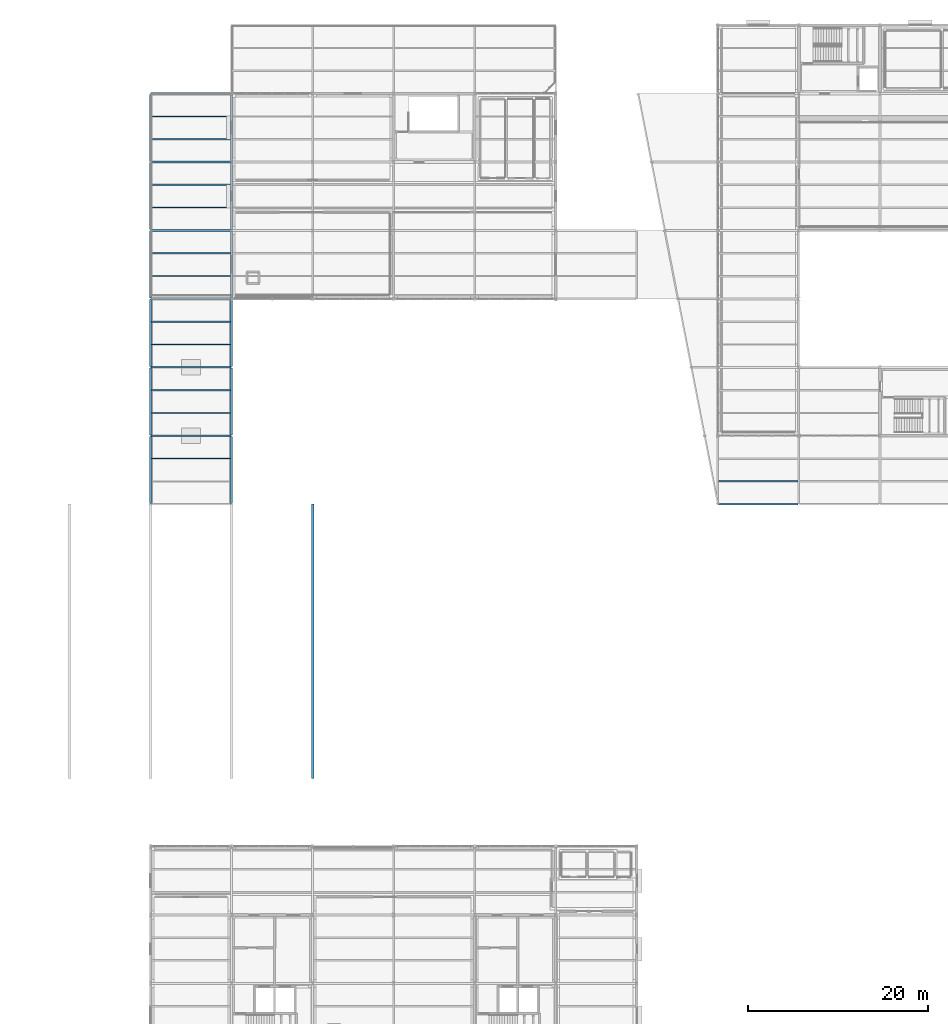
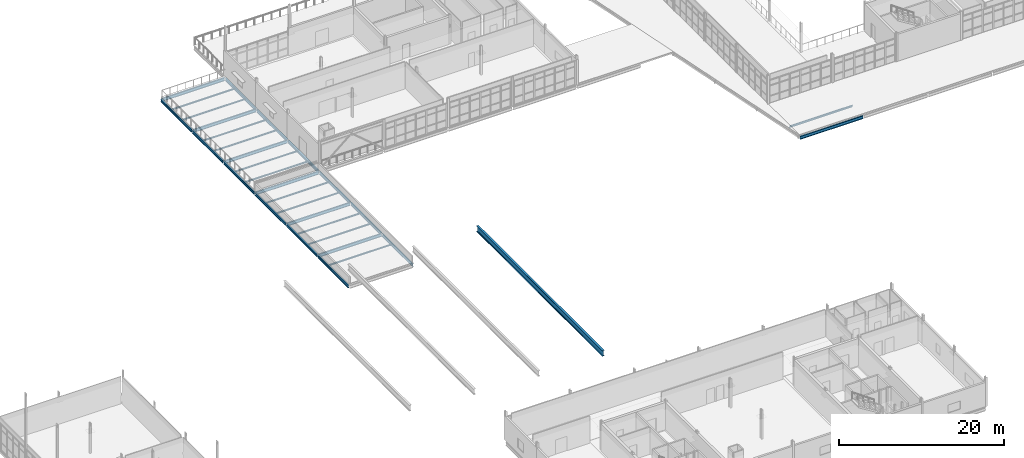
# One storey, part 30 of 96: 32 beams.
"""IFC4 building model written with IfcOpenShell, lengths in metres."""

from ifc_helpers import new_model, si_unit, direction, frame, origin, origin_2d, place, context, subcontext, project, spatial, i_section, extrude, material, material_profile, profile_set, type_object, element, save


model = new_model("IFC4")

# Units and contexts
model_context = context("Model", 3, precision=1e-05, world=origin(), true_north=direction((0.0, 1.0)))
body_context = subcontext(model_context, "Body", "Model", "MODEL_VIEW")
ifc_project = project(units=[si_unit("LENGTHUNIT", "METRE"), si_unit("AREAUNIT", "SQUARE_METRE"), si_unit("VOLUMEUNIT", "CUBIC_METRE"), si_unit("PLANEANGLEUNIT", "RADIAN"), si_unit("MASSUNIT", "GRAM", prefix="KILO")], contexts=[model_context])

# Site, building, storey
site_placement = place(None, origin())
site = spatial("IfcSite", under=ifc_project, at=site_placement, CompositionType="ELEMENT")
building_placement = place(site_placement, origin())
building = spatial("IfcBuilding", under=site, at=building_placement, Name="Caisbarro Railhouse Central Library", CompositionType="ELEMENT")
storey_placement = place(building_placement, frame((0.0, 0.0, 13.679931640625)))
storey = spatial("IfcBuildingStorey", under=building, at=storey_placement, Name="L03", CompositionType="ELEMENT", Elevation=13.679931640625)

# Beams
ifc_material = material(Name="Steel ASTM A572 Grade 50", Category="steel")
ifc_material_profile_1 = material_profile(ifc_material, i_section(OverallWidth=0.2939453125, OverallDepth=0.85107421875, WebThickness=0.01611328125, FlangeThickness=0.02685546875, FilletRadius=0.02392578125, at=origin_2d()), Name="W840X226.0")
ifc_profile_set_1 = profile_set([ifc_material_profile_1], Name="Steel ASTM A572 Grade 50")
beam_type_1 = type_object("IfcBeamType", Name="BM-G01", PredefinedType="BEAM", material=ifc_profile_set_1)
beam_1_placement = place(storey_placement, frame((72.0, 30.35009765625, 1.95166015625), z_axis=(0.0, 1.0, 0.0), x_axis=(-1.0, 0.0, 0.0)))
element("IfcBeam", 1, at=beam_1_placement, inside=storey, type_object=beam_type_1, Name="V1 Stepped Transverse Gridshell Girder X=72", PredefinedType="BEAM", context=body_context, shape_type="SweptSolid", body=[
    extrude(i_section(OverallWidth=0.2939453125, OverallDepth=0.85107421875, WebThickness=0.01611328125, FlangeThickness=0.02685546875, FilletRadius=0.02392578125, at=origin_2d()), origin(), (0.0, 0.0, 1.0), 30.5),
])
ifc_material_profile_2 = material_profile(ifc_material, i_section(OverallWidth=0.18994140625, OverallDepth=0.45703125, WebThickness=0.009033203125, FlangeThickness=0.014404296875, FilletRadius=0.01806640625, at=origin_2d()), Name="W460X74.0")
ifc_profile_set_2 = profile_set([ifc_material_profile_2], Name="Steel ASTM A572 Grade 50")
beam_type_2 = type_object("IfcBeamType", Name="BM-G08", PredefinedType="BEAM", material=ifc_profile_set_2)
for number, where, z_axis, x_axis, name in (
    (2, (54.080078125, 91.199951171875, -0.408447265625), (1.0, 0.0, 0.0), (0.0, 1.0, 0.0), "G08 beam L03 #2306"),
    (3, (54.080078125, 98.800048828125, -0.408447265625), (1.0, 0.0, 0.0), (0.0, 1.0, 0.0), "G08 beam L03 #2307"),
    (4, (54.080078125, 68.39990234375, -0.408447265625), (1.0, 0.0, 0.0), (0.0, 1.0, 0.0), "G08 beam L03 #2319"),
    (5, (54.080078125, 76.0, -0.408447265625), (1.0, 0.0, 0.0), (0.0, 1.0, 0.0), "G08 beam L03 #2320"),
):
    element("IfcBeam", number, at=place(storey_placement, frame(where, z_axis=z_axis, x_axis=x_axis)), inside=storey, type_object=beam_type_2, Name=name, PredefinedType="BEAM", context=body_context, shape_type="SweptSolid", body=[
        extrude(i_section(OverallWidth=0.18994140625, OverallDepth=0.45703125, WebThickness=0.009033203125, FlangeThickness=0.014404296875, FilletRadius=0.01806640625, at=origin_2d()), origin(), (0.0, 0.0, 1.0), 8.83984375),
    ])
ifc_material_profile_3 = material_profile(ifc_material, i_section(OverallWidth=0.177978515625, OverallDepth=0.406982421875, WebThickness=0.0078125, FlangeThickness=0.0126953125, FilletRadius=0.01611328125, at=origin_2d()), Name="W410X60.0")
ifc_profile_set_3 = profile_set([ifc_material_profile_3], Name="Steel ASTM A572 Grade 50")
beam_type_3 = type_object("IfcBeamType", Name="BM-G10", PredefinedType="BEAM", material=ifc_profile_set_3)
beam_2_placement = place(storey_placement, frame((63.0, 83.679931640625, -0.4033203125), z_axis=(0.0, 1.0, 0.0), x_axis=(-1.0, 0.0, 0.0)))
element("IfcBeam", 6, at=beam_2_placement, inside=storey, type_object=beam_type_3, Name="G10 beam L03 #1978", PredefinedType="BEAM", context=body_context, shape_type="SweptSolid", body=[
    extrude(i_section(OverallWidth=0.177978515625, OverallDepth=0.406982421875, WebThickness=0.0078125, FlangeThickness=0.0126953125, FilletRadius=0.01611328125, at=origin_2d()), origin(), (0.0, 0.0, 1.0), 7.440185546875),
])
beam_3_placement = place(storey_placement, frame((63.0, 91.280029296875, -0.4033203125), z_axis=(0.0, 1.0, 0.0), x_axis=(-1.0, 0.0, 0.0)))
element("IfcBeam", 7, at=beam_3_placement, inside=storey, type_object=beam_type_3, Name="G10 beam L03 #1979", PredefinedType="BEAM", context=body_context, shape_type="SweptSolid", body=[
    extrude(i_section(OverallWidth=0.177978515625, OverallDepth=0.406982421875, WebThickness=0.0078125, FlangeThickness=0.0126953125, FilletRadius=0.01611328125, at=origin_2d()), origin(), (0.0, 0.0, 1.0), 7.43994140625),
])
for number, where, z_axis, x_axis, name in (
    (8, (63.0, 98.8798828125, -0.4033203125), (0.0, 1.0, 0.0), (-1.0, 0.0, 0.0), "G10 beam L03 #1980"),
    (9, (54.0, 83.679931640625, -0.383544921875), (0.0, 1.0, 0.0), (-1.0, 0.0, 0.0), "G10 beam L03 #2309"),
):
    element("IfcBeam", number, at=place(storey_placement, frame(where, z_axis=z_axis, x_axis=x_axis)), inside=storey, type_object=beam_type_3, Name=name, PredefinedType="BEAM", context=body_context, shape_type="SweptSolid", body=[
        extrude(i_section(OverallWidth=0.177978515625, OverallDepth=0.406982421875, WebThickness=0.0078125, FlangeThickness=0.0126953125, FilletRadius=0.01611328125, at=origin_2d()), origin(), (0.0, 0.0, 1.0), 7.440185546875),
    ])
beam_4_placement = place(storey_placement, frame((54.0, 91.280029296875, -0.383544921875), z_axis=(0.0, 1.0, 0.0), x_axis=(-1.0, 0.0, 0.0)))
element("IfcBeam", 10, at=beam_4_placement, inside=storey, type_object=beam_type_3, Name="G10 beam L03 #2310", PredefinedType="BEAM", context=body_context, shape_type="SweptSolid", body=[
    extrude(i_section(OverallWidth=0.177978515625, OverallDepth=0.406982421875, WebThickness=0.0078125, FlangeThickness=0.0126953125, FilletRadius=0.01611328125, at=origin_2d()), origin(), (0.0, 0.0, 1.0), 7.43994140625),
])
for number, where, z_axis, x_axis, name in (
    (11, (54.0, 98.8798828125, -0.383544921875), (0.0, 1.0, 0.0), (-1.0, 0.0, 0.0), "G10 beam L03 #2311"),
    (12, (54.0, 60.8798828125, -0.383544921875), (0.0, 1.0, 0.0), (-1.0, 0.0, 0.0), "G10 beam L03 #2321"),
):
    element("IfcBeam", number, at=place(storey_placement, frame(where, z_axis=z_axis, x_axis=x_axis)), inside=storey, type_object=beam_type_3, Name=name, PredefinedType="BEAM", context=body_context, shape_type="SweptSolid", body=[
        extrude(i_section(OverallWidth=0.177978515625, OverallDepth=0.406982421875, WebThickness=0.0078125, FlangeThickness=0.0126953125, FilletRadius=0.01611328125, at=origin_2d()), origin(), (0.0, 0.0, 1.0), 7.440185546875),
    ])
for number, where, z_axis, x_axis, name in (
    (13, (54.0, 68.47998046875, -0.383544921875), (0.0, 1.0, 0.0), (-1.0, 0.0, 0.0), "G10 beam L03 #2322"),
    (14, (54.0, 76.080078125, -0.383544921875), (0.0, 1.0, 0.0), (-1.0, 0.0, 0.0), "G10 beam L03 #2323"),
):
    element("IfcBeam", number, at=place(storey_placement, frame(where, z_axis=z_axis, x_axis=x_axis)), inside=storey, type_object=beam_type_3, Name=name, PredefinedType="BEAM", context=body_context, shape_type="SweptSolid", body=[
        extrude(i_section(OverallWidth=0.177978515625, OverallDepth=0.406982421875, WebThickness=0.0078125, FlangeThickness=0.0126953125, FilletRadius=0.01611328125, at=origin_2d()), origin(), (0.0, 0.0, 1.0), 7.43994140625),
    ])
beam_5_placement = place(storey_placement, frame((63.0, 60.8798828125, -0.383544921875), z_axis=(0.0, 1.0, 0.0), x_axis=(-1.0, 0.0, 0.0)))
element("IfcBeam", 15, at=beam_5_placement, inside=storey, type_object=beam_type_3, Name="G10 beam L03 #2324", PredefinedType="BEAM", context=body_context, shape_type="SweptSolid", body=[
    extrude(i_section(OverallWidth=0.177978515625, OverallDepth=0.406982421875, WebThickness=0.0078125, FlangeThickness=0.0126953125, FilletRadius=0.01611328125, at=origin_2d()), origin(), (0.0, 0.0, 1.0), 7.440185546875),
])
for number, where, z_axis, x_axis, name in (
    (16, (63.0, 68.47998046875, -0.383544921875), (0.0, 1.0, 0.0), (-1.0, 0.0, 0.0), "G10 beam L03 #2325"),
    (17, (63.0, 76.080078125, -0.383544921875), (0.0, 1.0, 0.0), (-1.0, 0.0, 0.0), "G10 beam L03 #2326"),
):
    element("IfcBeam", number, at=place(storey_placement, frame(where, z_axis=z_axis, x_axis=x_axis)), inside=storey, type_object=beam_type_3, Name=name, PredefinedType="BEAM", context=body_context, shape_type="SweptSolid", body=[
        extrude(i_section(OverallWidth=0.177978515625, OverallDepth=0.406982421875, WebThickness=0.0078125, FlangeThickness=0.0126953125, FilletRadius=0.01611328125, at=origin_2d()), origin(), (0.0, 0.0, 1.0), 7.43994140625),
    ])
ifc_material_profile_4 = material_profile(ifc_material, i_section(OverallWidth=0.14794921875, OverallDepth=0.26611328125, WebThickness=0.007568359375, FlangeThickness=0.012939453125, FilletRadius=0.010009765625, at=origin_2d()), Name="W250X44.8")
ifc_profile_set_4 = profile_set([ifc_material_profile_4], Name="Steel ASTM A572 Grade 50")
beam_type_4 = type_object("IfcBeamType", Name="BM-J04", PredefinedType="JOIST", material=ifc_profile_set_4)
beam_6_placement = place(storey_placement, frame((117.10009765625, 63.333251953125, -0.31298828125), z_axis=(1.0, 0.0, 0.0), x_axis=(0.0, 1.0, 0.0)))
element("IfcBeam", 18, at=beam_6_placement, inside=storey, type_object=beam_type_4, Name="J04 beam L03 #2416", PredefinedType="JOIST", context=body_context, shape_type="SweptSolid", body=[
    extrude(i_section(OverallWidth=0.14794921875, OverallDepth=0.26611328125, WebThickness=0.007568359375, FlangeThickness=0.012939453125, FilletRadius=0.010009765625, at=origin_2d()), origin(), (0.0, 0.0, 1.0), 8.804931640625),
])
ifc_material_profile_5 = material_profile(ifc_material, i_section(OverallWidth=0.133056640625, OverallDepth=0.20703125, WebThickness=0.005859375, FlangeThickness=0.00830078125, FilletRadius=0.010009765625, at=origin_2d()), Name="W200X26.6")
ifc_profile_set_5 = profile_set([ifc_material_profile_5], Name="Steel ASTM A572 Grade 50")
beam_type_5 = type_object("IfcBeamType", Name="BM-J07", PredefinedType="JOIST", material=ifc_profile_set_5)
for number, where, z_axis, x_axis, name in (
    (19, (54.089111328125, 86.13330078125, -0.283447265625), (1.0, 0.0, 0.0), (0.0, 1.0, 0.0), "J07 beam L03 #2312"),
    (20, (54.089111328125, 88.666748046875, -0.283447265625), (1.0, 0.0, 0.0), (0.0, 1.0, 0.0), "J07 beam L03 #2313"),
    (21, (54.089111328125, 93.7333984375, -0.283447265625), (1.0, 0.0, 0.0), (0.0, 1.0, 0.0), "J07 beam L03 #2314"),
    (22, (54.089111328125, 96.2666015625, -0.283447265625), (1.0, 0.0, 0.0), (0.0, 1.0, 0.0), "J07 beam L03 #2315"),
    (23, (54.089111328125, 101.333251953125, -0.283447265625), (1.0, 0.0, 0.0), (0.0, 1.0, 0.0), "J07 beam L03 #2316"),
    (24, (54.089111328125, 103.86669921875, -0.283447265625), (1.0, 0.0, 0.0), (0.0, 1.0, 0.0), "J07 beam L03 #2317"),
    (25, (54.089111328125, 65.86669921875, -0.283447265625), (1.0, 0.0, 0.0), (0.0, 1.0, 0.0), "J07 beam L03 #2328"),
    (26, (54.089111328125, 70.933349609375, -0.283447265625), (1.0, 0.0, 0.0), (0.0, 1.0, 0.0), "J07 beam L03 #2329"),
    (27, (54.089111328125, 73.466796875, -0.283447265625), (1.0, 0.0, 0.0), (0.0, 1.0, 0.0), "J07 beam L03 #2330"),
    (28, (54.089111328125, 78.533203125, -0.283447265625), (1.0, 0.0, 0.0), (0.0, 1.0, 0.0), "J07 beam L03 #2331"),
    (29, (54.089111328125, 81.066650390625, -0.283447265625), (1.0, 0.0, 0.0), (0.0, 1.0, 0.0), "J07 beam L03 #2332"),
):
    element("IfcBeam", number, at=place(storey_placement, frame(where, z_axis=z_axis, x_axis=x_axis)), inside=storey, type_object=beam_type_5, Name=name, PredefinedType="JOIST", context=body_context, shape_type="SweptSolid", body=[
        extrude(i_section(OverallWidth=0.133056640625, OverallDepth=0.20703125, WebThickness=0.005859375, FlangeThickness=0.00830078125, FilletRadius=0.010009765625, at=origin_2d()), origin(), (0.0, 0.0, 1.0), 8.82177734375),
    ])
ifc_material_profile_6 = material_profile(ifc_material, i_section(OverallWidth=0.18994140625, OverallDepth=0.45703125, WebThickness=0.009033203125, FlangeThickness=0.014404296875, FilletRadius=0.01806640625, at=origin_2d()), Name="W460X74.0")
ifc_profile_set_6 = profile_set([ifc_material_profile_6], Name="Steel ASTM A572 Grade 50")
beam_type_6 = type_object("IfcBeamType", Name="BM-SP01", PredefinedType="SPANDREL", material=ifc_profile_set_6)
for number, where, z_axis, x_axis, name in (
    (30, (54.080078125, 83.60009765625, -0.408447265625), (1.0, 0.0, 0.0), (0.0, 1.0, 0.0), "SP01 beam L03 #2305"),
    (31, (54.080078125, 106.39990234375, -0.408447265625), (1.0, 0.0, 0.0), (0.0, 1.0, 0.0), "SP01 beam L03 #2308"),
    (32, (117.080078125, 60.800048828125, -0.408447265625), (1.0, 0.0, 0.0), (0.0, 1.0, 0.0), "SP01 beam L03 #2407"),
):
    element("IfcBeam", number, at=place(storey_placement, frame(where, z_axis=z_axis, x_axis=x_axis)), inside=storey, type_object=beam_type_6, Name=name, PredefinedType="SPANDREL", context=body_context, shape_type="SweptSolid", body=[
        extrude(i_section(OverallWidth=0.18994140625, OverallDepth=0.45703125, WebThickness=0.009033203125, FlangeThickness=0.014404296875, FilletRadius=0.01806640625, at=origin_2d()), origin(), (0.0, 0.0, 1.0), 8.83984375),
    ])

save(model, "model.ifc")
